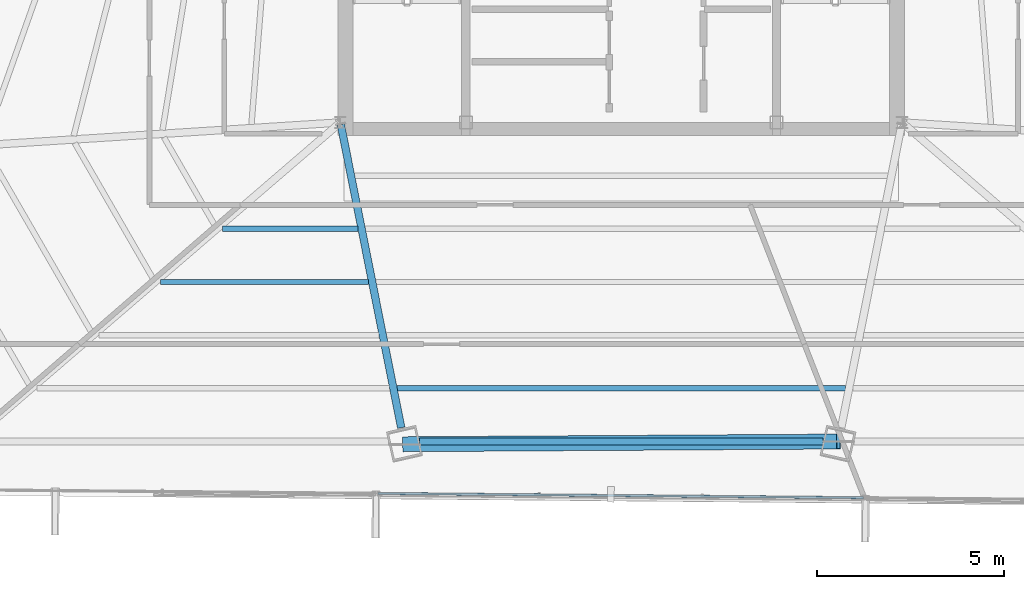
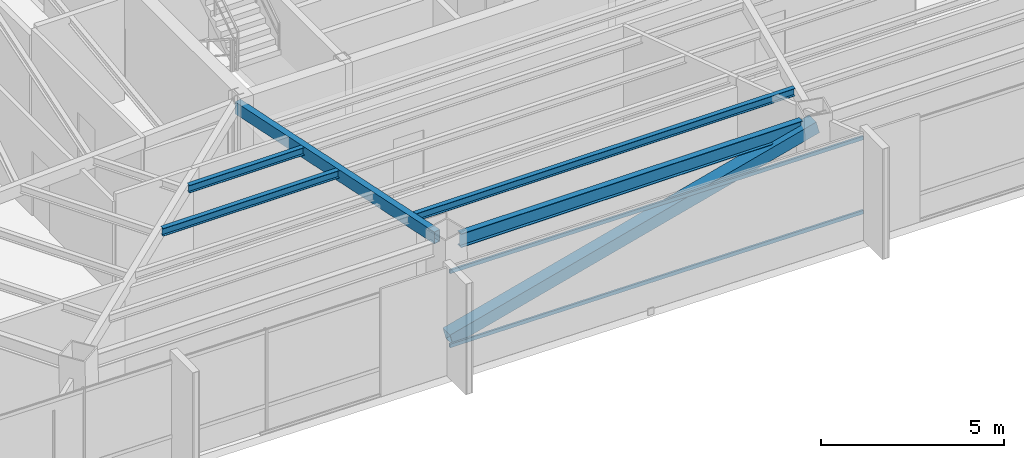
# One storey, part 13 of 47: 5 beams, 3 members, 1 element without a shape of its own.
"""IFC4 building model written with IfcOpenShell, lengths in metres."""

from ifc_helpers import new_model, si_unit, direction, frame, origin, origin_2d, place, context, subcontext, project, spatial, hollow_rectangle, i_section, extrude, source, transform, mapped, material, material_profile, profile_set, type_object, type_shapes, element, aggregate, save


model = new_model("IFC4")

# Units and contexts
model_context = context("Model", 3, precision=1e-05, world=origin(), true_north=direction((0.0, 1.0)))
body_context = subcontext(model_context, "Body", "Model", "MODEL_VIEW")
ifc_project = project(units=[si_unit("LENGTHUNIT", "METRE"), si_unit("AREAUNIT", "SQUARE_METRE"), si_unit("VOLUMEUNIT", "CUBIC_METRE"), si_unit("PLANEANGLEUNIT", "RADIAN"), si_unit("MASSUNIT", "GRAM", prefix="KILO")], contexts=[model_context])

# Site, building, storey
site_placement = place(None, origin())
site = spatial("IfcSite", under=ifc_project, at=site_placement, CompositionType="ELEMENT")
building_placement = place(site_placement, origin())
building = spatial("IfcBuilding", under=site, at=building_placement, Name="Caelisora Broadcast Tower", CompositionType="ELEMENT")
storey_placement = place(building_placement, frame((0.0, 0.0, 229.85009765625)))
storey = spatial("IfcBuildingStorey", under=building, at=storey_placement, Name="L60", CompositionType="ELEMENT", Elevation=229.85009765625)

# Beams
ifc_material_1 = material(Name="Steel Grade 350 (AS/NZS 3679.1)", Category="steel")
ifc_material_profile_1 = material_profile(ifc_material_1, i_section(OverallWidth=0.19091796875, OverallDepth=0.46044921875, WebThickness=0.010009765625, FlangeThickness=0.01611328125, at=origin_2d()), Name="Steel Grade 350 (AS/NZS 3679.1)")
ifc_profile_set_1 = profile_set([ifc_material_profile_1], Name="Steel Grade 350 (AS/NZS 3679.1)")
beam_type_1 = type_object("IfcBeamType", Name="PG06", PredefinedType="BEAM", material=ifc_profile_set_1)
shared_shape_1 = source(origin(), body_context, "Body", "SweptSolid", [
    extrude(i_section(OverallWidth=0.19091796875, OverallDepth=0.46044921875, WebThickness=0.010009765625, FlangeThickness=0.01611328125, at=origin_2d()), origin(), (0.0, 0.0, 1.0), 10.771484375),
])
type_shapes(beam_type_1, [shared_shape_1])
beam_1_placement = place(storey_placement, frame((32.6142578125, 8.87841796875, 3.169677734375), z_axis=(1.0, 0.0, 0.0), x_axis=(0.0, 1.0, 0.0)))
element("IfcBeam", 1, at=beam_1_placement, inside=storey, type_object=beam_type_1, Name="L60 beam PG06", PredefinedType="BEAM", context=body_context, shape_type="MappedRepresentation", body=[
    mapped(shared_shape_1, transform((0.0, 0.0, 0.0), scale=1.0)),
])
ifc_material_2 = material(Name="Steel Grade 350 (AS/NZS 1163 C350L0)", Category="steel")
ifc_material_profile_2 = material_profile(ifc_material_2, hollow_rectangle(XDim=0.199951171875, YDim=0.39990234375, WallThickness=0.012451171875, at=origin_2d()), Name="Steel Grade 350 (AS/NZS 1163 C350L0)")
ifc_profile_set_2 = profile_set([ifc_material_profile_2], Name="Steel Grade 350 (AS/NZS 1163 C350L0)")
beam_type_2 = type_object("IfcBeamType", Name="PG07", PredefinedType="BEAM", material=ifc_profile_set_2)
shared_shape_2 = source(origin(), body_context, "Body", "SweptSolid", [
    extrude(hollow_rectangle(XDim=0.199951171875, YDim=0.39990234375, WallThickness=0.012451171875, at=origin_2d()), origin(), (0.0, 0.0, 1.0), 8.25341796875),
])
type_shapes(beam_type_2, [shared_shape_2])
beam_2_placement = place(storey_placement, frame((30.51171875, 17.34130859375, 3.199951171875), z_axis=(0.195439147325, -0.980715830245, 0.0), x_axis=(0.980715830245, 0.195439147325, 0.0)))
element("IfcBeam", 2, at=beam_2_placement, inside=storey, type_object=beam_type_2, Name="L60 beam PG07", PredefinedType="BEAM", context=body_context, shape_type="MappedRepresentation", body=[
    mapped(shared_shape_2, transform((0.0, 0.0, 0.0), scale=1.0)),
])
ifc_material_profile_3 = material_profile(ifc_material_1, i_section(OverallWidth=0.14599609375, OverallDepth=0.256103515625, WebThickness=0.00634765625, FlangeThickness=0.010986328125, at=origin_2d()), Name="Steel Grade 350 (AS/NZS 3679.1)")
ifc_profile_set_3 = profile_set([ifc_material_profile_3], Name="Steel Grade 350 (AS/NZS 3679.1)")
beam_type_3 = type_object("IfcBeamType", Name="SB04", PredefinedType="JOIST", material=ifc_profile_set_3)
shared_shape_3 = source(origin(), body_context, "Body", "SweptSolid", [
    extrude(i_section(OverallWidth=0.14599609375, OverallDepth=0.256103515625, WebThickness=0.00634765625, FlangeThickness=0.010986328125, at=origin_2d()), origin(), (0.0, 0.0, 1.0), 3.61865234375),
])
beam_3_placement = place(storey_placement, frame((27.348388671875, 14.559326171875, 3.271728515625), z_axis=(1.0, 0.0, 0.0), x_axis=(0.0, 1.0, 0.0)))
element("IfcBeam", 3, at=beam_3_placement, inside=storey, type_object=beam_type_3, Name="L60 beam SB04", PredefinedType="JOIST", context=body_context, shape_type="MappedRepresentation", body=[
    mapped(shared_shape_3, transform((0.0, 0.0, 0.0), scale=1.0)),
])
shared_shape_4 = source(origin(), body_context, "Body", "SweptSolid", [
    extrude(i_section(OverallWidth=0.14599609375, OverallDepth=0.256103515625, WebThickness=0.00634765625, FlangeThickness=0.010986328125, at=origin_2d()), origin(), (0.0, 0.0, 1.0), 5.552490234375),
])
beam_4_placement = place(storey_placement, frame((25.697509765625, 13.13916015625, 3.271728515625), z_axis=(1.0, 0.0, 0.0), x_axis=(0.0, 1.0, 0.0)))
element("IfcBeam", 4, at=beam_4_placement, inside=storey, type_object=beam_type_3, Name="L60 beam SB04", PredefinedType="JOIST", context=body_context, shape_type="MappedRepresentation", body=[
    mapped(shared_shape_4, transform((0.0, 0.0, 0.0), scale=1.0)),
])
shared_shape_5 = source(origin(), body_context, "Body", "SweptSolid", [
    extrude(i_section(OverallWidth=0.14599609375, OverallDepth=0.256103515625, WebThickness=0.00634765625, FlangeThickness=0.010986328125, at=origin_2d()), origin(), (0.0, 0.0, 1.0), 11.9716796875),
])
type_shapes(beam_type_3, [shared_shape_3, shared_shape_4, shared_shape_5])
beam_5_placement = place(storey_placement, frame((32.01416015625, 10.298583984375, 3.271728515625), z_axis=(1.0, 0.0, 0.0), x_axis=(0.0, 1.0, 0.0)))
element("IfcBeam", 5, at=beam_5_placement, inside=storey, type_object=beam_type_3, Name="L60 beam SB04", PredefinedType="JOIST", context=body_context, shape_type="MappedRepresentation", body=[
    mapped(shared_shape_5, transform((0.0, 0.0, 0.0), scale=1.0)),
])

# Member
ifc_material_3 = material(Name="Steel Grade 450 (AS/NZS 1163 C450L0)", Category="steel")
ifc_material_profile_4 = material_profile(ifc_material_3, hollow_rectangle(XDim=0.39990234375, YDim=0.39990234375, WallThickness=0.01611328125, at=origin_2d()), Name="Steel Grade 450 (AS/NZS 1163 C450L0)")
ifc_profile_set_4 = profile_set([ifc_material_profile_4], Name="Steel Grade 450 (AS/NZS 1163 C450L0)")
member_type_1 = type_object("IfcMemberType", Name="BR04", PredefinedType="BRACE", material=ifc_profile_set_4)
shared_shape_6 = source(origin(), body_context, "Body", "SweptSolid", [
    extrude(hollow_rectangle(XDim=0.39990234375, YDim=0.39990234375, WallThickness=0.01611328125, at=origin_2d()), origin(), (0.0, 0.0, 1.0), 11.969482421875),
])
type_shapes(member_type_1, [shared_shape_6])
member_1_placement = place(storey_placement, frame((32.214599609375, 8.805908203125, 0.099853515625), z_axis=(0.968061851223, 0.006057907963, 0.250638293079), x_axis=(-0.006257647015, 0.999980420735, 0.0)))
element("IfcMember", 6, at=member_1_placement, inside=storey, type_object=member_type_1, Name="L60 perimeter brace BR04", PredefinedType="BRACE", context=body_context, shape_type="MappedRepresentation", body=[
    mapped(shared_shape_6, transform((0.0, 0.0, 0.0), scale=1.0)),
])

# Curtain wall, members
ifc_material_4 = material(Name="Unitised Aluminium Insulated Shadow-Box Spandrel Curtain Wall", Category="aluminium")
curtain_wall_type = type_object("IfcCurtainWallType", Name="CW-SP3", PredefinedType="NOTDEFINED", material=ifc_material_4)
curtain_wall_placement = place(storey_placement, origin())
curtain_wall = element("IfcCurtainWall", 7, at=curtain_wall_placement, inside=storey, type_object=curtain_wall_type, Name="L60 curtain wall CW-SP3", PredefinedType="NOTDEFINED")
ifc_material_5 = material(Name="Aluminium 6063-T6 Anodised Terracotta Bronze", Category="aluminium")
ifc_material_profile_5 = material_profile(ifc_material_5, hollow_rectangle(XDim=0.06005859375, YDim=0.1201171875, WallThickness=0.0029296875, at=origin_2d()), Name="Aluminium 6063-T6 Anodised Terracotta Bronze")
ifc_profile_set_5 = profile_set([ifc_material_profile_5], Name="Aluminium 6063-T6 Anodised Terracotta Bronze")
member_type_2 = type_object("IfcMemberType", Name="CWT-03", PredefinedType="USERDEFINED", material=ifc_profile_set_5)
shared_shape_7 = source(origin(), body_context, "Body", "SweptSolid", [
    extrude(hollow_rectangle(XDim=0.06005859375, YDim=0.1201171875, WallThickness=0.0029296875, at=origin_2d()), origin(), (0.0, 0.0, 1.0), 12.96044921875),
])
type_shapes(member_type_2, [shared_shape_7])
member_2_placement = place(storey_placement, frame((44.4677734375, 7.377685546875, 0.849853515625), z_axis=(-0.999960639655, 0.008872380779, 0.0), x_axis=(-0.008872380779, -0.999960639655, 0.0)))
member_2 = element("IfcMember", 8, at=member_2_placement, type_object=member_type_2, Name="L60-CW-B06 transom #1", ObjectType="TRANSOM", PredefinedType="USERDEFINED", context=body_context, shape_type="MappedRepresentation", body=[
    mapped(shared_shape_7, transform((0.0, 0.0, 0.0), scale=1.0)),
])
member_3_placement = place(storey_placement, frame((44.4677734375, 7.377685546875, 3.31982421875), z_axis=(-0.999960639655, 0.008872380779, 0.0), x_axis=(-0.008872380779, -0.999960639655, 0.0)))
member_3 = element("IfcMember", 9, at=member_3_placement, type_object=member_type_2, Name="L60-CW-B06 transom #2", ObjectType="TRANSOM", PredefinedType="USERDEFINED", context=body_context, shape_type="MappedRepresentation", body=[
    mapped(shared_shape_7, transform((0.0, 0.0, 0.0), scale=1.0)),
])
aggregate(curtain_wall, [member_2, member_3])

save(model, "model.ifc")
